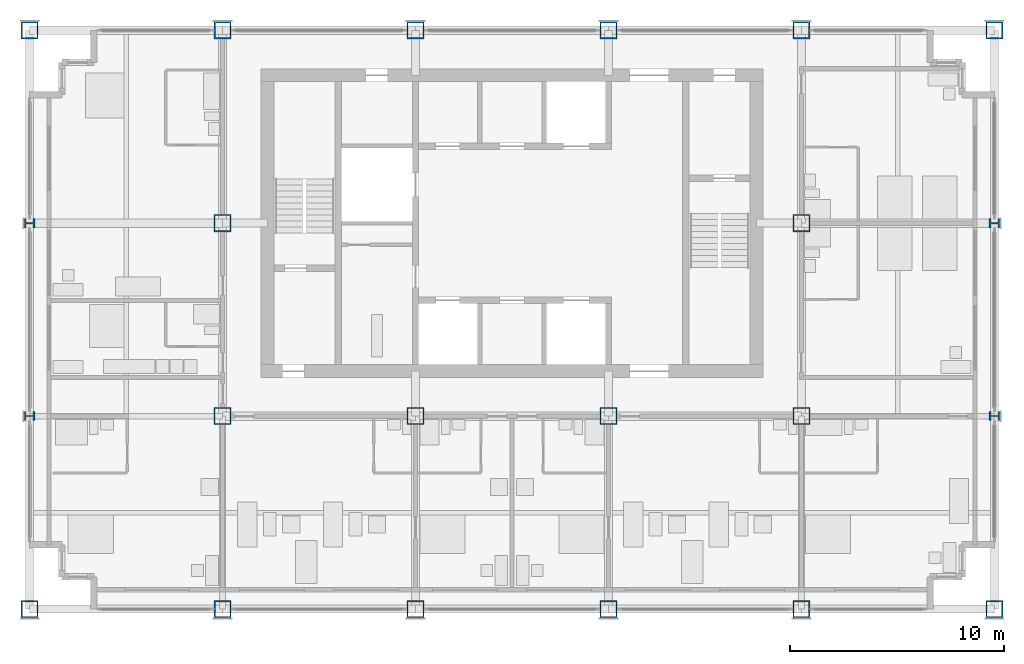
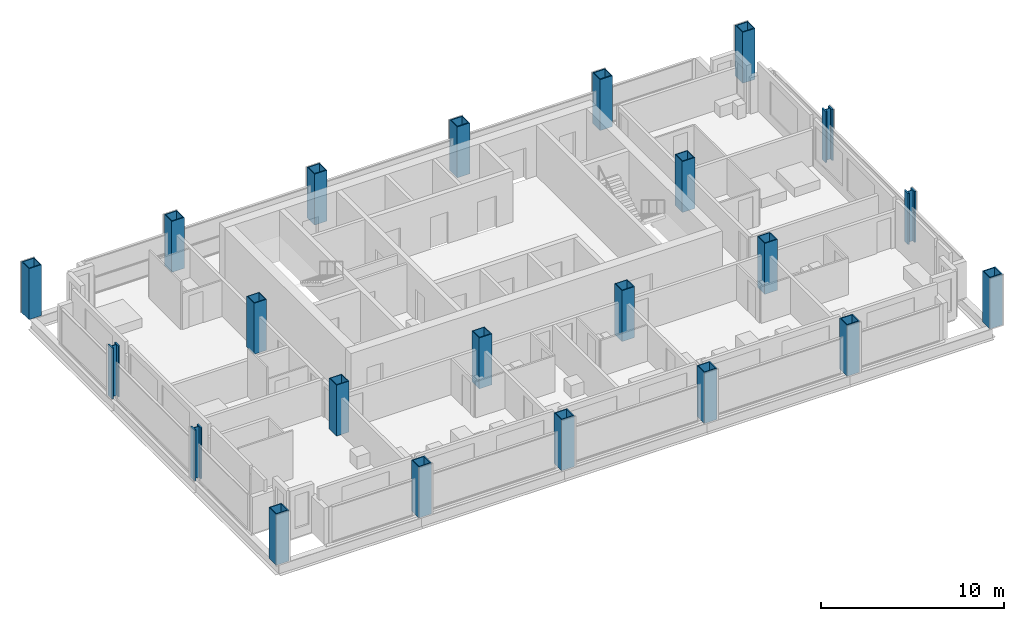
# One storey, part 1 of 13: 22 columns.
"""IFC4 building model written with IfcOpenShell, lengths in metres."""

import ifcopenshell
import ifcopenshell.guid

model = None  # the IFC model being written
_history = None  # IfcOwnerHistory: only IFC2X3 demands one
_inside = {}  # id of a spatial element -> (the spatial element, [elements in it])
_under = {}  # id of a project, library or spatial element -> (it, [spatial elements below it])
_declared = {}  # id of a project -> (the project, [libraries it declares])
_typed = {}  # id of a type object -> (the type object, [elements of that type])
_made_of = {}  # id of a material, layer set ... -> (it, [elements and type objects made of it])


def new_model(schema):
    """Start an empty IFC model of exactly this schema.

    Asked for "IFC4X3", IfcOpenShell would pick the latest addendum, in which some entities
    have other attributes; the version numbers below select the first issue.
    IFC2X3 requires an IfcOwnerHistory on every rooted entity: one is made here for all.
    """
    global model, _history
    if schema == "IFC4X3":
        model = ifcopenshell.file(schema_version=(4, 3, 0, 0))
    else:
        model = ifcopenshell.file(schema=schema)
    _inside.clear()
    _under.clear()
    _declared.clear()
    _typed.clear()
    _made_of.clear()
    _history = None
    if model.schema == "IFC2X3":
        org = make("IfcOrganization", Name="unknown")
        user = make(
            "IfcPersonAndOrganization",
            ThePerson=make("IfcPerson", FamilyName="unknown"),
            TheOrganization=org,
        )
        app = make(
            "IfcApplication",
            ApplicationDeveloper=org,
            Version="unknown",
            ApplicationFullName="unknown",
            ApplicationIdentifier="unknown",
        )
        _history = make(
            "IfcOwnerHistory",
            OwningUser=user,
            OwningApplication=app,
            ChangeAction="ADDED",
            CreationDate=0,
        )
    return model


def make(cls, **values):
    """One entity of the class cls with the attributes given. An attribute that is None is left unset."""
    return model.create_entity(
        cls, **{name: value for name, value in values.items() if value is not None}
    )


def rooted(cls, **values):
    """An entity with a GlobalId (a new one), such as an element, a storey or a relation."""
    return make(cls, GlobalId=ifcopenshell.guid.new(), OwnerHistory=_history, **values)


def si_unit(unit_type, name, prefix=None):
    """IfcSIUnit, for example si_unit("LENGTHUNIT", "METRE", prefix="MILLI")."""
    return make("IfcSIUnit", UnitType=unit_type, Prefix=prefix, Name=name)


def assignment(units):
    """IfcUnitAssignment: the units of a project."""
    return None if units is None else make("IfcUnitAssignment", Units=units)


def point(xyz):
    """IfcCartesianPoint."""
    return None if xyz is None else make("IfcCartesianPoint", Coordinates=xyz)


def direction(xyz):
    """IfcDirection."""
    return None if xyz is None else make("IfcDirection", DirectionRatios=xyz)


def frame(location, z_axis=None, x_axis=None):
    """IfcAxis2Placement3D, a coordinate frame: its origin and axes. An axis left out is left unset."""
    return make(
        "IfcAxis2Placement3D",
        Location=point(location),
        Axis=direction(z_axis),
        RefDirection=direction(x_axis),
    )


def frame_2d(location, x_axis=None):
    """IfcAxis2Placement2D, a coordinate frame in the plane: its origin and x axis."""
    return make(
        "IfcAxis2Placement2D", Location=point(location), RefDirection=direction(x_axis)
    )


def origin():
    """The frame at (0, 0, 0) with its axes left unset."""
    return frame((0.0, 0.0, 0.0))


def origin_2d():
    """The frame at (0, 0) in the plane with its x axis left unset."""
    return frame_2d((0.0, 0.0))


def place(relative_to, where):
    """IfcLocalPlacement: puts the frame where relative to a parent placement (None: the world)."""
    return make(
        "IfcLocalPlacement", PlacementRelTo=relative_to, RelativePlacement=where
    )


def context(
    kind, dimensions, precision=None, world=None, true_north=None, identifier=None
):
    """IfcGeometricRepresentationContext, for example the 3D "Model" context."""
    return make(
        "IfcGeometricRepresentationContext",
        ContextIdentifier=identifier,
        ContextType=kind,
        CoordinateSpaceDimension=dimensions,
        Precision=precision,
        WorldCoordinateSystem=world,
        TrueNorth=true_north,
    )


def subcontext(parent, identifier, kind, view, scale=None):
    """IfcGeometricRepresentationSubContext, for example "Body" below "Model"."""
    return make(
        "IfcGeometricRepresentationSubContext",
        ContextIdentifier=identifier,
        ContextType=kind,
        ParentContext=parent,
        TargetScale=scale,
        TargetView=view,
    )


def project(units=None, contexts=None):
    """IfcProject with its units and contexts."""
    return rooted(
        "IfcProject",
        Name="project",
        RepresentationContexts=contexts,
        UnitsInContext=assignment(units),
    )


def spatial(cls, under=None, at=None, **own):
    """A site, building, storey or space (cls), placed at a placement, below another one or the project."""
    s = rooted(cls, ObjectPlacement=at, **own)
    if under is not None:
        _under.setdefault(under.id(), (under, []))[1].append(s)
    return s


def profile(cls, at=None, kind="AREA", **sizes):
    """A parametric profile (cls). Its sizes go by their IFC names, for example OverallWidth=200.0."""
    return make(cls, ProfileType=kind, Position=at, **sizes)


def hollow_rectangle(**sizes):
    """IfcRectangleHollowProfileDef."""
    return profile("IfcRectangleHollowProfileDef", **sizes)


def i_section(**sizes):
    """IfcIShapeProfileDef."""
    return profile("IfcIShapeProfileDef", **sizes)


def extrude(swept, where, along, depth):
    """IfcExtrudedAreaSolid: the profile swept, set in the frame where, extruded along a direction by depth."""
    return make(
        "IfcExtrudedAreaSolid",
        SweptArea=swept,
        Position=where,
        ExtrudedDirection=direction(along),
        Depth=depth,
    )


def shape(context_of_items, identifier, shape_type, items):
    """IfcShapeRepresentation: the items that make up one representation, for example the "Body"."""
    return make(
        "IfcShapeRepresentation",
        ContextOfItems=context_of_items,
        RepresentationIdentifier=identifier,
        RepresentationType=shape_type,
        Items=items,
    )


def material(Name=None, Category=None):
    """IfcMaterial."""
    return make("IfcMaterial", Name=Name, Category=Category)


def material_profile(
    of_material, cross_section, Name=None, Category=None, Priority=None
):
    """IfcMaterialProfile: a cross section and its material."""
    return make(
        "IfcMaterialProfile",
        Name=Name,
        Material=of_material,
        Profile=cross_section,
        Priority=Priority,
        Category=Category,
    )


def profile_set(profiles, Name=None, composite=None):
    """IfcMaterialProfileSet."""
    return make(
        "IfcMaterialProfileSet",
        Name=Name,
        MaterialProfiles=profiles,
        CompositeProfile=composite,
    )


def made_of(thing, what):
    """Note that an element or type object is made of a material, layer set ...; save() writes the relation."""
    if what is not None:
        _made_of.setdefault(what.id(), (what, []))[1].append(thing)
    return thing


def type_object(cls, material=None, **own):
    """A type object (cls), such as IfcWallType, which elements share."""
    return made_of(rooted(cls, **own), material)


def element(
    cls,
    number,
    at=None,
    inside=None,
    cuts=None,
    type_object=None,
    material=None,
    context=None,
    identifier="Body",
    shape_type=None,
    held_by="IfcProductDefinitionShape",
    body=None,
    shapes=None,
    **own,
):
    """One element of the class cls, such as IfcWall. Its Tag is "e" and its number.

    at: its placement. inside: the storey or other place that contains it. cuts: it is an
    opening in that element (IfcRelVoidsElement). A single representation is given by context,
    identifier, shape_type and body (its items); several are given by shapes. held_by: the class
    of the entity that holds the representations. save() writes the other relations.
    """
    e = rooted(cls, Tag="e%d" % number, ObjectPlacement=at, **own)
    if body is not None:
        shapes = [shape(context, identifier, shape_type, body)]
    if shapes is not None:
        e.Representation = make(held_by, Representations=shapes)
    if inside is not None:
        _inside.setdefault(inside.id(), (inside, []))[1].append(e)
    if cuts is not None:
        rooted(
            "IfcRelVoidsElement", RelatingBuildingElement=cuts, RelatedOpeningElement=e
        )
    if type_object is not None:
        _typed.setdefault(type_object.id(), (type_object, []))[1].append(e)
    return made_of(e, material)


def aggregate(whole, parts):
    """IfcRelAggregates: a whole, such as a stair, and the parts it consists of."""
    return rooted("IfcRelAggregates", RelatingObject=whole, RelatedObjects=parts)


def save(model, path):
    """Write the relations noted so far, then the file.

    IfcRelAggregates (storeys below a building ...), IfcRelContainedInSpatialStructure (elements
    in a storey), IfcRelDefinesByType, IfcRelAssociatesMaterial and IfcRelDeclares: one each for
    every whole, place, type object, material and project.
    """
    for whole, parts in _under.values():
        aggregate(whole, parts)
    for where, things in _inside.values():
        rooted(
            "IfcRelContainedInSpatialStructure",
            RelatedElements=things,
            RelatingStructure=where,
        )
    for kind, things in _typed.values():
        rooted("IfcRelDefinesByType", RelatedObjects=things, RelatingType=kind)
    for what, things in _made_of.values():
        rooted("IfcRelAssociatesMaterial", RelatedObjects=things, RelatingMaterial=what)
    for by, libraries in _declared.values():
        rooted("IfcRelDeclares", RelatingContext=by, RelatedDefinitions=libraries)
    model.write(path)


model = new_model("IFC4")

# Units and contexts
model_context = context("Model", 3, precision=1e-05, world=origin(), true_north=direction((0.0, 1.0)))
body_context = subcontext(model_context, "Body", "Model", "MODEL_VIEW")
ifc_project = project(units=[si_unit("LENGTHUNIT", "METRE"), si_unit("AREAUNIT", "SQUARE_METRE"), si_unit("VOLUMEUNIT", "CUBIC_METRE"), si_unit("PLANEANGLEUNIT", "RADIAN"), si_unit("MASSUNIT", "GRAM", prefix="KILO")], contexts=[model_context])

# Site, building, storey
site_placement = place(None, origin())
site = spatial("IfcSite", under=ifc_project, at=site_placement, CompositionType="ELEMENT")
building_placement = place(site_placement, origin())
building = spatial("IfcBuilding", under=site, at=building_placement, Name="Loomwork Tower", CompositionType="ELEMENT")
storey_placement = place(building_placement, frame((0.0, 0.0, 214.800048828125)))
storey = spatial("IfcBuildingStorey", under=building, at=storey_placement, Name="L59", CompositionType="ELEMENT", Elevation=214.800048828125)

# Columns
ifc_material_1 = material(Name="Steel ASTM A572 Grade 50 plate", Category="steel")
ifc_material_profile_1 = material_profile(ifc_material_1, hollow_rectangle(XDim=0.800048828125, YDim=0.800048828125, WallThickness=0.06005859375, at=origin_2d()), Name="BOX800x60")
ifc_profile_set_1 = profile_set([ifc_material_profile_1], Name="Steel ASTM A572 Grade 50 plate")
column_type_1 = type_object("IfcColumnType", Name="EXOSKELETON PIER BOX800x60", PredefinedType="COLUMN", material=ifc_profile_set_1)
for number, where, z_axis, x_axis, name in (
    (1, (0.0, 0.0, 0.0), (0.0, 0.0, 1.0), (1.0, 0.0, 0.0), "Exoskeleton Pier D/2 L59"),
    (2, (0.0, 27.0, 0.0), (0.0, 0.0, 1.0), (0.0, 1.0, 0.0), "Exoskeleton Pier G/2 L59"),
    (3, (9.0, 0.0, 0.0), (0.0, 0.0, 1.0), (1.0, 0.0, 0.0), "Exoskeleton Pier D/3 L59"),
    (4, (9.0, 27.0, 0.0), (0.0, 0.0, 1.0), (1.0, 0.0, 0.0), "Exoskeleton Pier G/3 L59"),
    (5, (18.0, 0.0, 0.0), (0.0, 0.0, 1.0), (1.0, 0.0, 0.0), "Exoskeleton Pier D/4 L59"),
    (6, (18.0, 27.0, 0.0), (0.0, 0.0, 1.0), (1.0, 0.0, 0.0), "Exoskeleton Pier G/4 L59"),
    (7, (27.0, 0.0, 0.0), (0.0, 0.0, 1.0), (1.0, 0.0, 0.0), "Exoskeleton Pier D/5 L59"),
    (8, (27.0, 27.0, 0.0), (0.0, 0.0, 1.0), (1.0, 0.0, 0.0), "Exoskeleton Pier G/5 L59"),
    (9, (36.0, 0.0, 0.0), (0.0, 0.0, 1.0), (1.0, 0.0, 0.0), "Exoskeleton Pier D/6 L59"),
    (10, (36.0, 27.0, 0.0), (0.0, 0.0, 1.0), (1.0, 0.0, 0.0), "Exoskeleton Pier G/6 L59"),
    (11, (45.0, 0.0, 0.0), (0.0, 0.0, 1.0), (1.0, 0.0, 0.0), "Exoskeleton Pier D/7 L59"),
    (12, (45.0, 27.0, 0.0), (0.0, 0.0, 1.0), (0.0, 1.0, 0.0), "Exoskeleton Pier G/7 L59"),
):
    element("IfcColumn", number, at=place(storey_placement, frame(where, z_axis=z_axis, x_axis=x_axis)), inside=storey, type_object=column_type_1, Name=name, PredefinedType="COLUMN", context=body_context, shape_type="SweptSolid", body=[
        extrude(hollow_rectangle(XDim=0.800048828125, YDim=0.800048828125, WallThickness=0.06005859375, at=origin_2d()), origin(), (0.0, 0.0, 1.0), 3.39990234375),
    ])
ifc_material_2 = material(Name="Steel ASTM A992", Category="steel")
ifc_material_profile_2 = material_profile(ifc_material_2, i_section(OverallWidth=0.4267578125, OverallDepth=0.482666015625, WebThickness=0.05126953125, FlangeThickness=0.08154296875, at=origin_2d()), Name="W14x455")
ifc_profile_set_2 = profile_set([ifc_material_profile_2], Name="Steel ASTM A992")
column_type_2 = type_object("IfcColumnType", Name="EXOSKELETON PIER W14x455", PredefinedType="COLUMN", material=ifc_profile_set_2)
for number, where, z_axis, x_axis, name in (
    (13, (0.0, 9.0, 0.0), (0.0, 0.0, 1.0), (0.0, 1.0, 0.0), "Exoskeleton Pier E/2 L59"),
    (14, (0.0, 18.0, 0.0), (0.0, 0.0, 1.0), (0.0, 1.0, 0.0), "Exoskeleton Pier F/2 L59"),
    (15, (45.0, 9.0, 0.0), (0.0, 0.0, 1.0), (0.0, 1.0, 0.0), "Exoskeleton Pier E/7 L59"),
    (16, (45.0, 18.0, 0.0), (0.0, 0.0, 1.0), (0.0, 1.0, 0.0), "Exoskeleton Pier F/7 L59"),
):
    element("IfcColumn", number, at=place(storey_placement, frame(where, z_axis=z_axis, x_axis=x_axis)), inside=storey, type_object=column_type_2, Name=name, PredefinedType="COLUMN", context=body_context, shape_type="SweptSolid", body=[
        extrude(i_section(OverallWidth=0.4267578125, OverallDepth=0.482666015625, WebThickness=0.05126953125, FlangeThickness=0.08154296875, at=origin_2d()), origin(), (0.0, 0.0, 1.0), 3.39990234375),
    ])
ifc_material_3 = material(Name="Steel ASTM A572 Grade 50 plate", Category="steel")
ifc_material_profile_3 = material_profile(ifc_material_3, hollow_rectangle(XDim=0.800048828125, YDim=0.800048828125, WallThickness=0.050048828125, at=origin_2d()), Name="BOX800x50")
ifc_profile_set_3 = profile_set([ifc_material_profile_3], Name="Steel ASTM A572 Grade 50 plate")
column_type_3 = type_object("IfcColumnType", Name="TOWER COLUMN BOX800x50", PredefinedType="COLUMN", material=ifc_profile_set_3)
for number, where, z_axis, x_axis, name in (
    (17, (9.0, 9.0, 0.0), (0.0, 0.0, 1.0), (1.0, 0.0, 0.0), "Tower Column E/3 L59"),
    (18, (9.0, 18.0, 0.0), (0.0, 0.0, 1.0), (1.0, 0.0, 0.0), "Tower Column F/3 L59"),
    (19, (18.0, 9.0, 0.0), (0.0, 0.0, 1.0), (1.0, 0.0, 0.0), "Tower Column E/4 L59"),
    (20, (27.0, 9.0, 0.0), (0.0, 0.0, 1.0), (1.0, 0.0, 0.0), "Tower Column E/5 L59"),
    (21, (36.0, 9.0, 0.0), (0.0, 0.0, 1.0), (0.0, 1.0, 0.0), "Tower Column E/6 L59"),
    (22, (36.0, 18.0, 0.0), (0.0, 0.0, 1.0), (0.0, 1.0, 0.0), "Tower Column F/6 L59"),
):
    element("IfcColumn", number, at=place(storey_placement, frame(where, z_axis=z_axis, x_axis=x_axis)), inside=storey, type_object=column_type_3, Name=name, PredefinedType="COLUMN", context=body_context, shape_type="SweptSolid", body=[
        extrude(hollow_rectangle(XDim=0.800048828125, YDim=0.800048828125, WallThickness=0.050048828125, at=origin_2d()), origin(), (0.0, 0.0, 1.0), 3.39990234375),
    ])

save(model, "model.ifc")
